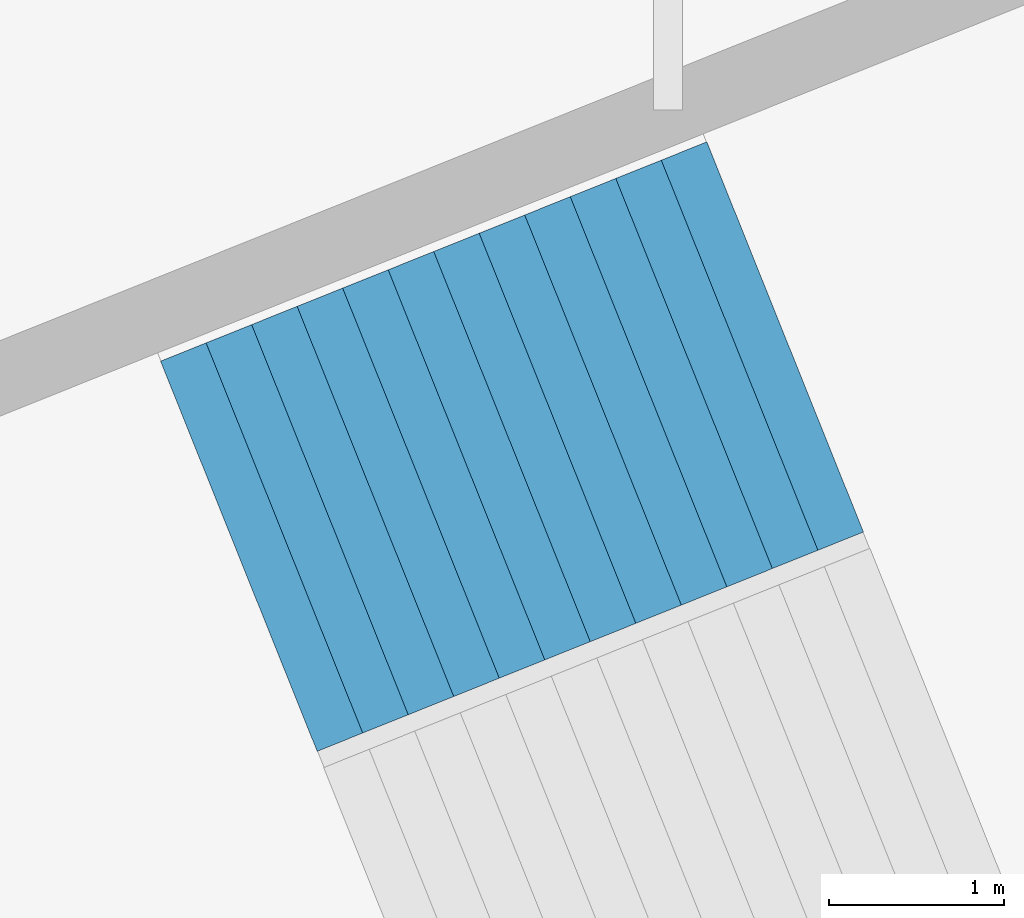
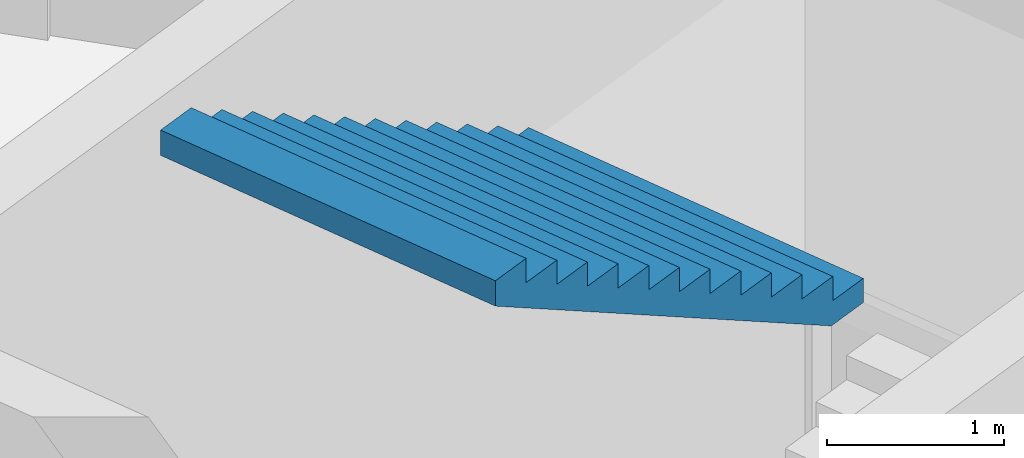
# One storey, part 45 of 47: 1 stair flight, 1 element without a shape of its own.
"""IFC4 building model written with IfcOpenShell, lengths in metres."""

from ifc_helpers import new_model, si_unit, direction, frame, origin, place, context, subcontext, project, spatial, triangles, material, type_object, element, aggregate, save


model = new_model("IFC4")

# Units and contexts
model_context = context("Model", 3, precision=1e-05, world=origin(), true_north=direction((0.0, 1.0)))
body_context = subcontext(model_context, "Body", "Model", "MODEL_VIEW")
ifc_project = project(units=[si_unit("LENGTHUNIT", "METRE"), si_unit("AREAUNIT", "SQUARE_METRE"), si_unit("VOLUMEUNIT", "CUBIC_METRE"), si_unit("PLANEANGLEUNIT", "RADIAN"), si_unit("MASSUNIT", "GRAM", prefix="KILO")], contexts=[model_context])

# Site, building, storey
site_placement = place(None, origin())
site = spatial("IfcSite", under=ifc_project, at=site_placement, CompositionType="ELEMENT")
building_placement = place(site_placement, origin())
building = spatial("IfcBuilding", under=site, at=building_placement, Name="Lantaw Convention Tower", CompositionType="ELEMENT")
storey_placement = place(building_placement, origin())
storey = spatial("IfcBuildingStorey", under=building, at=storey_placement, Name="L00", CompositionType="ELEMENT", Elevation=0.0)

# Stair, stair flight
ifc_material = material(Name="Concrete C35/45", Category="concrete")
stair_type = type_object("IfcStairType", Name="Exit stair 2400 riser 166.67 in 3 flights", PredefinedType="HALF_TURN_STAIR", material=ifc_material)
stair_placement = place(storey_placement, origin())
stair = element("IfcStair", 1, at=stair_placement, inside=storey, type_object=stair_type, Name="Podium exit stair P2 L00", PredefinedType="HALF_TURN_STAIR")
stair_flight_type = type_object("IfcStairFlightType", Name="Stair flight 2400 riser 166.67", PredefinedType="STRAIGHT", material=ifc_material)
stair_flight_placement = place(storey_placement, frame((38.917724609375, 16.969970703125, 4.333251953125), z_axis=(0.0, 0.0, 1.0), x_axis=(-0.928015168305, -0.372542410198, 0.0)))
stair_flight = element("IfcStairFlight", 2, at=stair_flight_placement, type_object=stair_flight_type, Name="P2 flight 3", NumberOfRisers=13, NumberOfTreads=12, PredefinedType="STRAIGHT", RiserHeight=0.166666667, TreadLength=0.28, context=body_context, shape_type="Tessellation", body=[
    triangles([(0.0, 1.199951171875, 0.0), (0.0, 1.199951171875, 0.166666667), (0.28, 1.199951171875, 0.0), (0.28, 1.199951171875, 0.166666667), (0.28, 1.199951171875, 0.333333334), (0.29307345806906815, 1.199951171875, 0.0), (0.29307345806906815, 1.199951171875, 0.333333334), (0.56, 1.199951171875, 0.15888484670522912), (0.56, 1.199951171875, 0.333333334), (0.56, 1.199951171875, 0.500000001), (0.8400000000000001, 1.199951171875, 0.3255515137052291), (0.8400000000000001, 1.199951171875, 0.500000001), (0.8400000000000001, 1.199951171875, 0.666666668), (1.12, 1.199951171875, 0.49221818070522905), (1.12, 1.199951171875, 0.666666668), (1.12, 1.199951171875, 0.833333335), (1.4000000000000001, 1.199951171875, 0.658884847705229), (1.4000000000000001, 1.199951171875, 0.833333335), (1.4000000000000001, 1.199951171875, 1.000000002), (1.6800000000000002, 1.199951171875, 0.825551514705229), (1.6800000000000002, 1.199951171875, 1.000000002), (1.6800000000000002, 1.199951171875, 1.166666669), (1.9600000000000002, 1.199951171875, 0.992218181705229), (1.9600000000000002, 1.199951171875, 1.166666669), (1.9600000000000002, 1.199951171875, 1.333333336), (2.24, 1.199951171875, 1.158884848705229), (2.24, 1.199951171875, 1.333333336), (2.24, 1.199951171875, 1.5000000029999998), (2.5200000000000005, 1.199951171875, 1.325551515705229), (2.5200000000000005, 1.199951171875, 1.5000000029999998), (2.5200000000000005, 1.199951171875, 1.66666667), (2.8000000000000003, 1.199951171875, 1.492218182705229), (2.8000000000000003, 1.199951171875, 1.66666667), (2.8000000000000003, 1.199951171875, 1.833333337), (3.08, 1.199951171875, 1.6588848497052289), (3.08, 1.199951171875, 1.833333337), (3.08, 1.199951171875, 2.000000004), (3.3600000000000003, 1.199951171875, 1.825551516705229), (3.3600000000000003, 1.199951171875, 2.000000004), (0.0, -1.199951171875, 0.0), (0.0, -1.199951171875, 0.166666667), (0.28, -1.199951171875, 0.0), (0.28, -1.199951171875, 0.166666667), (0.28, -1.199951171875, 0.333333334), (0.29307345806906815, -1.199951171875, 0.0), (0.29307345806906815, -1.199951171875, 0.333333334), (0.56, -1.199951171875, 0.15888484670522912), (0.56, -1.199951171875, 0.333333334), (0.56, -1.199951171875, 0.500000001), (0.8400000000000001, -1.199951171875, 0.3255515137052291), (0.8400000000000001, -1.199951171875, 0.500000001), (0.8400000000000001, -1.199951171875, 0.666666668), (1.12, -1.199951171875, 0.49221818070522905), (1.12, -1.199951171875, 0.666666668), (1.12, -1.199951171875, 0.833333335), (1.4000000000000001, -1.199951171875, 0.658884847705229), (1.4000000000000001, -1.199951171875, 0.833333335), (1.4000000000000001, -1.199951171875, 1.000000002), (1.6800000000000002, -1.199951171875, 0.825551514705229), (1.6800000000000002, -1.199951171875, 1.000000002), (1.6800000000000002, -1.199951171875, 1.166666669), (1.9600000000000002, -1.199951171875, 0.992218181705229), (1.9600000000000002, -1.199951171875, 1.166666669), (1.9600000000000002, -1.199951171875, 1.333333336), (2.24, -1.199951171875, 1.158884848705229), (2.24, -1.199951171875, 1.333333336), (2.24, -1.199951171875, 1.5000000029999998), (2.5200000000000005, -1.199951171875, 1.325551515705229), (2.5200000000000005, -1.199951171875, 1.5000000029999998), (2.5200000000000005, -1.199951171875, 1.66666667), (2.8000000000000003, -1.199951171875, 1.492218182705229), (2.8000000000000003, -1.199951171875, 1.66666667), (2.8000000000000003, -1.199951171875, 1.833333337), (3.08, -1.199951171875, 1.6588848497052289), (3.08, -1.199951171875, 1.833333337), (3.08, -1.199951171875, 2.000000004), (3.3600000000000003, -1.199951171875, 1.825551516705229), (3.3600000000000003, -1.199951171875, 2.000000004), (0.0, 0.239990234375, 0.166666667), (0.0, 0.239990234375, 0.0), (0.0, 0.0, 0.166666667), (0.0, 0.0, 0.0), (0.0, -0.239990234375, 0.166666667), (0.0, -0.239990234375, 0.0), (0.28, 0.239990234375, 0.333333334), (0.28, 0.239990234375, 0.166666667), (0.28, 0.0, 0.333333334), (0.28, 0.0, 0.166666667), (0.28, -0.239990234375, 0.333333334), (0.28, -0.239990234375, 0.166666667), (0.56, 0.239990234375, 0.500000001), (0.56, 0.239990234375, 0.333333334), (0.56, 0.0, 0.500000001), (0.56, 0.0, 0.333333334), (0.56, -0.239990234375, 0.500000001), (0.56, -0.239990234375, 0.333333334), (0.8400000000000001, 0.239990234375, 0.666666668), (0.8400000000000001, 0.239990234375, 0.500000001), (0.8400000000000001, 0.0, 0.666666668), (0.8400000000000001, 0.0, 0.500000001), (0.8400000000000001, -0.239990234375, 0.666666668), (0.8400000000000001, -0.239990234375, 0.500000001), (1.12, 0.239990234375, 0.833333335), (1.12, 0.239990234375, 0.666666668), (1.12, 0.0, 0.833333335), (1.12, 0.0, 0.666666668), (1.12, -0.239990234375, 0.833333335), (1.12, -0.239990234375, 0.666666668), (1.4000000000000001, 0.239990234375, 1.000000002), (1.4000000000000001, 0.239990234375, 0.833333335), (1.4000000000000001, 0.0, 1.000000002), (1.4000000000000001, 0.0, 0.833333335), (1.4000000000000001, -0.239990234375, 1.000000002), (1.4000000000000001, -0.239990234375, 0.833333335), (1.6800000000000002, 0.239990234375, 1.166666669), (1.6800000000000002, 0.239990234375, 1.000000002), (1.6800000000000002, 0.0, 1.166666669), (1.6800000000000002, 0.0, 1.000000002), (1.6800000000000002, -0.239990234375, 1.166666669), (1.6800000000000002, -0.239990234375, 1.000000002), (1.9600000000000002, 0.239990234375, 1.333333336), (1.9600000000000002, 0.239990234375, 1.166666669), (1.9600000000000002, 0.0, 1.333333336), (1.9600000000000002, 0.0, 1.166666669), (1.9600000000000002, -0.239990234375, 1.333333336), (1.9600000000000002, -0.239990234375, 1.166666669), (2.24, 0.239990234375, 1.5000000029999998), (2.24, 0.239990234375, 1.333333336), (2.24, 0.0, 1.5000000029999998), (2.24, 0.0, 1.333333336), (2.24, -0.239990234375, 1.5000000029999998), (2.24, -0.239990234375, 1.333333336), (2.5200000000000005, 0.239990234375, 1.66666667), (2.5200000000000005, 0.239990234375, 1.5000000029999998), (2.5200000000000005, 0.0, 1.66666667), (2.5200000000000005, 0.0, 1.5000000029999998), (2.5200000000000005, -0.239990234375, 1.66666667), (2.5200000000000005, -0.239990234375, 1.5000000029999998), (2.8000000000000003, 0.239990234375, 1.833333337), (2.8000000000000003, 0.239990234375, 1.66666667), (2.8000000000000003, 0.0, 1.833333337), (2.8000000000000003, 0.0, 1.66666667), (2.8000000000000003, -0.239990234375, 1.833333337), (2.8000000000000003, -0.239990234375, 1.66666667), (3.08, 0.239990234375, 2.000000004), (3.08, 0.239990234375, 1.833333337), (3.08, 0.0, 2.000000004), (3.08, 0.0, 1.833333337), (3.08, -0.239990234375, 2.000000004), (3.08, -0.239990234375, 1.833333337), (0.29307345806906815, 0.239990234375, 0.333333334), (0.29307345806906815, 0.0, 0.333333334), (0.29307345806906815, -0.239990234375, 0.333333334), (3.3600000000000003, 0.239990234375, 2.000000004), (3.3600000000000003, 0.0, 2.000000004), (3.3600000000000003, -0.239990234375, 2.000000004), (3.3600000000000003, 0.239990234375, 1.8255515167052292), (3.3600000000000003, 0.0, 1.8255515167052292), (3.3600000000000003, -0.239990234375, 1.8255515167052292), (3.08, 0.239990234375, 1.6588848497052289), (3.08, 0.0, 1.6588848497052289), (3.08, -0.239990234375, 1.6588848497052289), (2.8000000000000003, 0.239990234375, 1.492218182705229), (2.8000000000000003, 0.0, 1.492218182705229), (2.8000000000000003, -0.239990234375, 1.492218182705229), (2.5200000000000005, 0.239990234375, 1.325551515705229), (2.5200000000000005, 0.0, 1.325551515705229), (2.5200000000000005, -0.239990234375, 1.325551515705229), (2.24, 0.239990234375, 1.158884848705229), (2.24, 0.0, 1.158884848705229), (2.24, -0.239990234375, 1.158884848705229), (1.9600000000000002, 0.239990234375, 0.992218181705229), (1.9600000000000002, 0.0, 0.992218181705229), (1.9600000000000002, -0.239990234375, 0.992218181705229), (1.6800000000000002, 0.239990234375, 0.825551514705229), (1.6800000000000002, 0.0, 0.825551514705229), (1.6800000000000002, -0.239990234375, 0.825551514705229), (1.4000000000000001, 0.239990234375, 0.658884847705229), (1.4000000000000001, 0.0, 0.658884847705229), (1.4000000000000001, -0.239990234375, 0.658884847705229), (1.12, 0.239990234375, 0.49221818070522905), (1.12, 0.0, 0.49221818070522905), (1.12, -0.239990234375, 0.49221818070522905), (0.8400000000000001, 0.239990234375, 0.3255515137052291), (0.8400000000000001, 0.0, 0.3255515137052291), (0.8400000000000001, -0.239990234375, 0.3255515137052291), (0.56, 0.239990234375, 0.15888484670522912), (0.56, 0.0, 0.15888484670522912), (0.56, -0.239990234375, 0.15888484670522912), (0.29307345806906815, 0.239990234375, 0.0), (0.29307345806906815, 0.0, 0.0), (0.29307345806906815, -0.239990234375, 0.0), (0.28, 0.239990234375, 0.0), (0.28, 0.0, 0.0), (0.28, -0.239990234375, 0.0)], [[1, 4, 3], [1, 2, 4], [3, 4, 6], [4, 7, 6], [4, 5, 7], [6, 9, 8], [6, 7, 9], [8, 9, 11], [9, 12, 11], [9, 10, 12], [11, 12, 14], [12, 15, 14], [12, 13, 15], [14, 15, 17], [15, 18, 17], [15, 16, 18], [17, 18, 20], [18, 21, 20], [18, 19, 21], [20, 21, 23], [21, 24, 23], [21, 22, 24], [23, 24, 26], [24, 27, 26], [24, 25, 27], [26, 27, 29], [27, 30, 29], [27, 28, 30], [29, 30, 32], [30, 33, 32], [30, 31, 33], [32, 33, 35], [33, 36, 35], [33, 34, 36], [35, 36, 38], [36, 39, 38], [36, 37, 39], [40, 42, 43], [40, 43, 41], [42, 45, 43], [43, 45, 46], [43, 46, 44], [45, 47, 48], [45, 48, 46], [47, 50, 48], [48, 50, 51], [48, 51, 49], [50, 53, 51], [51, 53, 54], [51, 54, 52], [53, 56, 54], [54, 56, 57], [54, 57, 55], [56, 59, 57], [57, 59, 60], [57, 60, 58], [59, 62, 60], [60, 62, 63], [60, 63, 61], [62, 65, 63], [63, 65, 66], [63, 66, 64], [65, 68, 66], [66, 68, 69], [66, 69, 67], [68, 71, 69], [69, 71, 72], [69, 72, 70], [71, 74, 72], [72, 74, 75], [72, 75, 73], [74, 77, 75], [75, 77, 78], [75, 78, 76], [1, 79, 2], [1, 80, 79], [80, 81, 79], [80, 82, 81], [82, 83, 81], [82, 84, 83], [84, 41, 83], [84, 40, 41], [4, 85, 5], [4, 86, 85], [86, 87, 85], [86, 88, 87], [88, 89, 87], [88, 90, 89], [90, 44, 89], [90, 43, 44], [9, 91, 10], [9, 92, 91], [92, 93, 91], [92, 94, 93], [94, 95, 93], [94, 96, 95], [96, 49, 95], [96, 48, 49], [12, 97, 13], [12, 98, 97], [98, 99, 97], [98, 100, 99], [100, 101, 99], [100, 102, 101], [102, 52, 101], [102, 51, 52], [15, 103, 16], [15, 104, 103], [104, 105, 103], [104, 106, 105], [106, 107, 105], [106, 108, 107], [108, 55, 107], [108, 54, 55], [18, 109, 19], [18, 110, 109], [110, 111, 109], [110, 112, 111], [112, 113, 111], [112, 114, 113], [114, 58, 113], [114, 57, 58], [21, 115, 22], [21, 116, 115], [116, 117, 115], [116, 118, 117], [118, 119, 117], [118, 120, 119], [120, 61, 119], [120, 60, 61], [24, 121, 25], [24, 122, 121], [122, 123, 121], [122, 124, 123], [124, 125, 123], [124, 126, 125], [126, 64, 125], [126, 63, 64], [27, 127, 28], [27, 128, 127], [128, 129, 127], [128, 130, 129], [130, 131, 129], [130, 132, 131], [132, 67, 131], [132, 66, 67], [30, 133, 31], [30, 134, 133], [134, 135, 133], [134, 136, 135], [136, 137, 135], [136, 138, 137], [138, 70, 137], [138, 69, 70], [33, 139, 34], [33, 140, 139], [140, 141, 139], [140, 142, 141], [142, 143, 141], [142, 144, 143], [144, 73, 143], [144, 72, 73], [36, 145, 37], [36, 146, 145], [146, 147, 145], [146, 148, 147], [148, 149, 147], [148, 150, 149], [150, 76, 149], [150, 75, 76], [2, 86, 4], [2, 79, 86], [79, 88, 86], [79, 81, 88], [81, 90, 88], [81, 83, 90], [83, 43, 90], [83, 41, 43], [5, 151, 7], [5, 85, 151], [85, 152, 151], [85, 87, 152], [87, 153, 152], [87, 89, 153], [89, 46, 153], [89, 44, 46], [7, 92, 9], [7, 151, 92], [151, 94, 92], [151, 152, 94], [152, 96, 94], [152, 153, 96], [153, 48, 96], [153, 46, 48], [10, 98, 12], [10, 91, 98], [91, 100, 98], [91, 93, 100], [93, 102, 100], [93, 95, 102], [95, 51, 102], [95, 49, 51], [13, 104, 15], [13, 97, 104], [97, 106, 104], [97, 99, 106], [99, 108, 106], [99, 101, 108], [101, 54, 108], [101, 52, 54], [16, 110, 18], [16, 103, 110], [103, 112, 110], [103, 105, 112], [105, 114, 112], [105, 107, 114], [107, 57, 114], [107, 55, 57], [19, 116, 21], [19, 109, 116], [109, 118, 116], [109, 111, 118], [111, 120, 118], [111, 113, 120], [113, 60, 120], [113, 58, 60], [22, 122, 24], [22, 115, 122], [115, 124, 122], [115, 117, 124], [117, 126, 124], [117, 119, 126], [119, 63, 126], [119, 61, 63], [25, 128, 27], [25, 121, 128], [121, 130, 128], [121, 123, 130], [123, 132, 130], [123, 125, 132], [125, 66, 132], [125, 64, 66], [28, 134, 30], [28, 127, 134], [127, 136, 134], [127, 129, 136], [129, 138, 136], [129, 131, 138], [131, 69, 138], [131, 67, 69], [31, 140, 33], [31, 133, 140], [133, 142, 140], [133, 135, 142], [135, 144, 142], [135, 137, 144], [137, 72, 144], [137, 70, 72], [34, 146, 36], [34, 139, 146], [139, 148, 146], [139, 141, 148], [141, 150, 148], [141, 143, 150], [143, 75, 150], [143, 73, 75], [37, 154, 39], [37, 145, 154], [145, 155, 154], [145, 147, 155], [147, 156, 155], [147, 149, 156], [149, 78, 156], [149, 76, 78], [39, 157, 38], [39, 154, 157], [154, 158, 157], [154, 155, 158], [155, 159, 158], [155, 156, 159], [156, 77, 159], [156, 78, 77], [38, 160, 35], [38, 157, 160], [157, 161, 160], [157, 158, 161], [158, 162, 161], [158, 159, 162], [159, 74, 162], [159, 77, 74], [35, 163, 32], [35, 160, 163], [160, 164, 163], [160, 161, 164], [161, 165, 164], [161, 162, 165], [162, 71, 165], [162, 74, 71], [32, 166, 29], [32, 163, 166], [163, 167, 166], [163, 164, 167], [164, 168, 167], [164, 165, 168], [165, 68, 168], [165, 71, 68], [29, 169, 26], [29, 166, 169], [166, 170, 169], [166, 167, 170], [167, 171, 170], [167, 168, 171], [168, 65, 171], [168, 68, 65], [26, 172, 23], [26, 169, 172], [169, 173, 172], [169, 170, 173], [170, 174, 173], [170, 171, 174], [171, 62, 174], [171, 65, 62], [23, 175, 20], [23, 172, 175], [172, 176, 175], [172, 173, 176], [173, 177, 176], [173, 174, 177], [174, 59, 177], [174, 62, 59], [20, 178, 17], [20, 175, 178], [175, 179, 178], [175, 176, 179], [176, 180, 179], [176, 177, 180], [177, 56, 180], [177, 59, 56], [17, 181, 14], [17, 178, 181], [178, 182, 181], [178, 179, 182], [179, 183, 182], [179, 180, 183], [180, 53, 183], [180, 56, 53], [14, 184, 11], [14, 181, 184], [181, 185, 184], [181, 182, 185], [182, 186, 185], [182, 183, 186], [183, 50, 186], [183, 53, 50], [11, 187, 8], [11, 184, 187], [184, 188, 187], [184, 185, 188], [185, 189, 188], [185, 186, 189], [186, 47, 189], [186, 50, 47], [8, 190, 6], [8, 187, 190], [187, 191, 190], [187, 188, 191], [188, 192, 191], [188, 189, 192], [189, 45, 192], [189, 47, 45], [6, 193, 3], [6, 190, 193], [190, 194, 193], [190, 191, 194], [191, 195, 194], [191, 192, 195], [192, 42, 195], [192, 45, 42], [3, 80, 1], [3, 193, 80], [193, 82, 80], [193, 194, 82], [194, 84, 82], [194, 195, 84], [195, 40, 84], [195, 42, 40]], closed=True),
])
aggregate(stair, [stair_flight])

save(model, "model.ifc")
